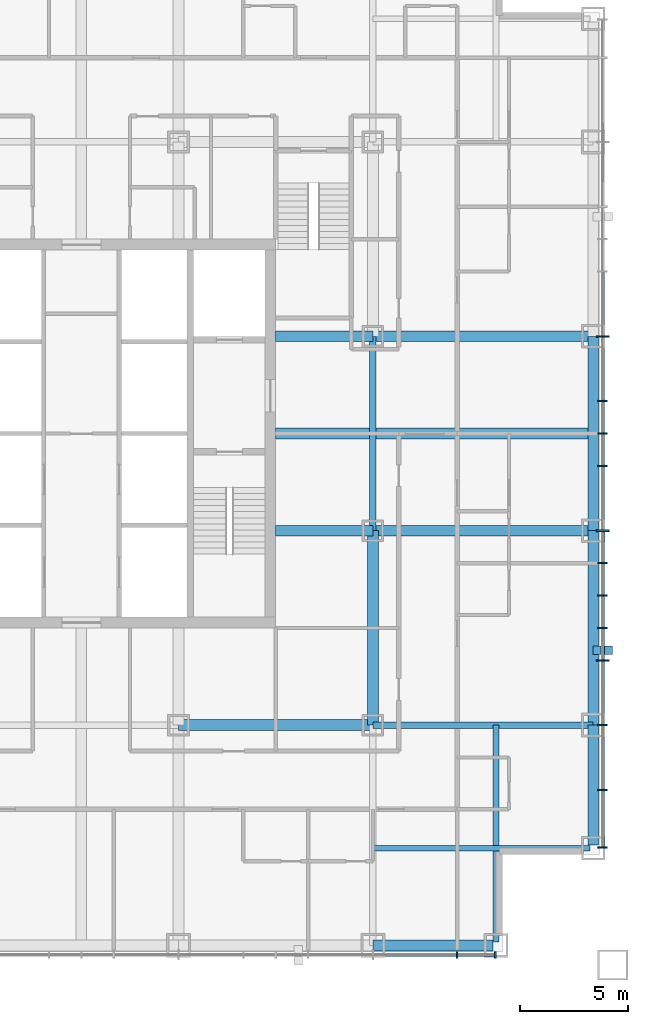
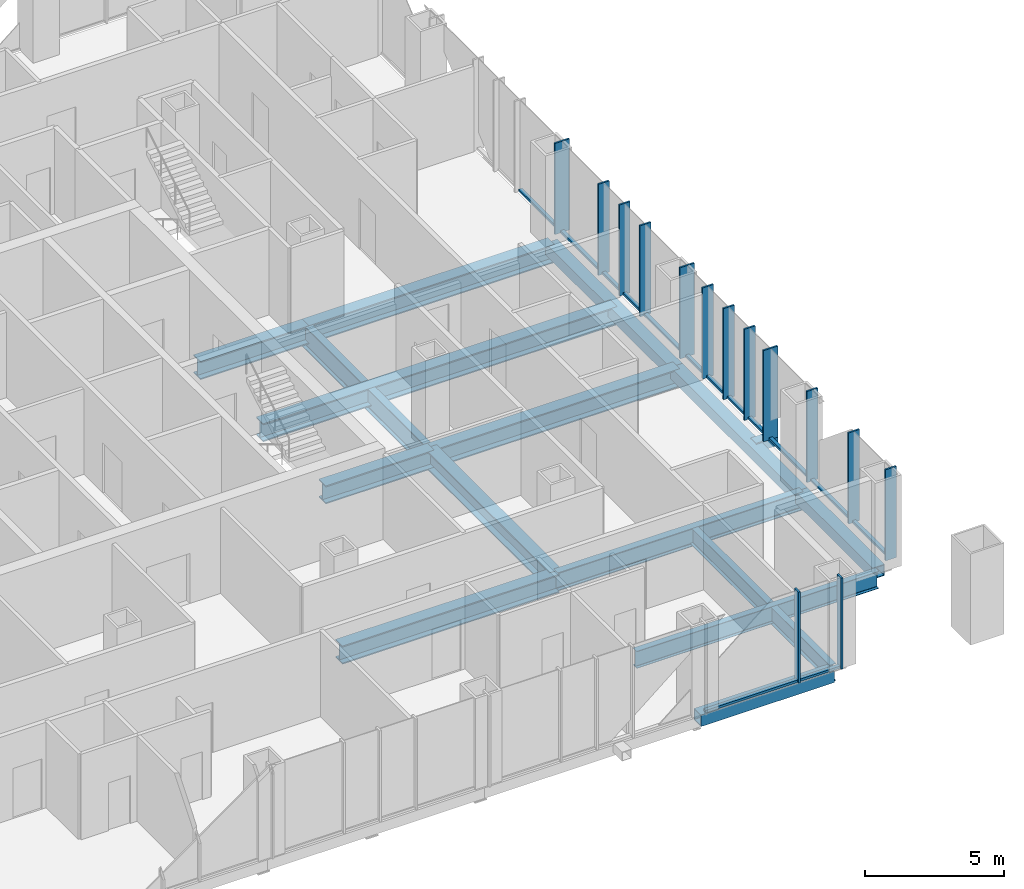
# One storey, part 4 of 14: 29 members, 15 beams, 2 elements without a shape of their own.
"""IFC4 building model written with IfcOpenShell, lengths in metres."""

from ifc_helpers import new_model, si_unit, direction, frame, origin, origin_2d, place, context, subcontext, project, spatial, rectangle, hollow_rectangle, i_section, extrude, material, layer, layer_set, material_profile, profile_set, type_object, element, aggregate, save


model = new_model("IFC4")

# Units and contexts
model_context = context("Model", 3, precision=1e-05, world=origin(), true_north=direction((0.0, 1.0)))
body_context = subcontext(model_context, "Body", "Model", "MODEL_VIEW")
ifc_project = project(units=[si_unit("LENGTHUNIT", "METRE"), si_unit("AREAUNIT", "SQUARE_METRE"), si_unit("VOLUMEUNIT", "CUBIC_METRE"), si_unit("PLANEANGLEUNIT", "RADIAN"), si_unit("MASSUNIT", "GRAM", prefix="KILO")], contexts=[model_context])

# Site, building, storey
site_placement = place(None, origin())
site = spatial("IfcSite", under=ifc_project, at=site_placement, CompositionType="ELEMENT")
building_placement = place(site_placement, origin())
building = spatial("IfcBuilding", under=site, at=building_placement, Name="Malebo Sky Hospital", CompositionType="ELEMENT")
storey_placement = place(building_placement, frame((0.0, 0.0, 128.0)))
storey = spatial("IfcBuildingStorey", under=building, at=storey_placement, Name="L30", CompositionType="ELEMENT", Elevation=128.0)

# Curtain wall, members
ifc_material_1 = material(Name="Anodised aluminium, natural silver", Category="aluminium")
ifc_layer_1 = layer(ifc_material_1, 0.25)
ifc_layer_set_1 = layer_set([ifc_layer_1], Name="WARD CURTAIN WALL NORTH AND SOUTH")
curtain_wall_type_1 = type_object("IfcCurtainWallType", Name="WARD CURTAIN WALL NORTH AND SOUTH", PredefinedType="NOTDEFINED", material=ifc_layer_set_1)
curtain_wall_1_placement = place(storey_placement, origin())
curtain_wall_1 = element("IfcCurtainWall", 1, at=curtain_wall_1_placement, inside=storey, type_object=curtain_wall_type_1, Name="NS curtain wall S", PredefinedType="NOTDEFINED")
ifc_material_profile_1 = material_profile(ifc_material_1, rectangle(XDim=0.14990234375, YDim=0.10009765625, at=origin_2d()), Name="ALUMINIUM TRANSOM 150x100")
ifc_profile_set_1 = profile_set([ifc_material_profile_1], Name="Anodised aluminium, natural silver")
member_type_1 = type_object("IfcMemberType", Name="ALUMINIUM TRANSOM 150x100", PredefinedType="USERDEFINED", material=ifc_profile_set_1)
member_1_placement = place(storey_placement, frame((79.125, 37.864990234375, 0.050048828125), z_axis=(-1.0, 0.0, 0.0), x_axis=(0.0, -1.0, 0.0)))
member_1 = element("IfcMember", 2, at=member_1_placement, type_object=member_type_1, Name="Transom 1", ObjectType="TRANSOM", PredefinedType="USERDEFINED", context=body_context, shape_type="SweptSolid", body=[
    extrude(rectangle(XDim=0.14990234375, YDim=0.10009765625, at=origin_2d()), origin(), (0.0, 0.0, 1.0), 1.6875),
])
member_2_placement = place(storey_placement, frame((77.362548828125, 37.864990234375, 0.050048828125), z_axis=(-1.0, 0.0, 0.0), x_axis=(0.0, -1.0, 0.0)))
member_2 = element("IfcMember", 3, at=member_2_placement, type_object=member_type_1, Name="Transom 2", ObjectType="TRANSOM", PredefinedType="USERDEFINED", context=body_context, shape_type="SweptSolid", body=[
    extrude(rectangle(XDim=0.14990234375, YDim=0.10009765625, at=origin_2d()), origin(), (0.0, 0.0, 1.0), 3.824951171875),
])

ifc_layer_2 = layer(ifc_material_1, 0.25)
ifc_layer_set_2 = layer_set([ifc_layer_2], Name="WARD CURTAIN WALL EAST AND WEST")
curtain_wall_type_2 = type_object("IfcCurtainWallType", Name="WARD CURTAIN WALL EAST AND WEST", PredefinedType="NOTDEFINED", material=ifc_layer_set_2)
curtain_wall_2_placement = place(storey_placement, origin())
curtain_wall_2 = element("IfcCurtainWall", 4, at=curtain_wall_2_placement, inside=storey, type_object=curtain_wall_type_2, Name="EW curtain wall E", PredefinedType="NOTDEFINED")
member_3_placement = place(storey_placement, frame((84.135009765625, 69.46240234375, 0.050048828125), z_axis=(0.0, -1.0, 0.0), x_axis=(1.0, 0.0, 0.0)))
member_3 = element("IfcMember", 5, at=member_3_placement, type_object=member_type_1, Name="Transom 6", ObjectType="TRANSOM", PredefinedType="USERDEFINED", context=body_context, shape_type="SweptSolid", body=[
    extrude(rectangle(XDim=0.14990234375, YDim=0.10009765625, at=origin_2d()), origin(), (0.0, 0.0, 1.0), 2.9248046875),
])
member_4_placement = place(storey_placement, frame((84.135009765625, 66.46240234375, 0.050048828125), z_axis=(0.0, -1.0, 0.0), x_axis=(1.0, 0.0, 0.0)))
member_4 = element("IfcMember", 6, at=member_4_placement, type_object=member_type_1, Name="Transom 7", ObjectType="TRANSOM", PredefinedType="USERDEFINED", context=body_context, shape_type="SweptSolid", body=[
    extrude(rectangle(XDim=0.14990234375, YDim=0.10009765625, at=origin_2d()), origin(), (0.0, 0.0, 1.0), 2.9248046875),
])
member_5_placement = place(storey_placement, frame((84.135009765625, 63.46240234375, 0.050048828125), z_axis=(0.0, -1.0, 0.0), x_axis=(1.0, 0.0, 0.0)))
member_5 = element("IfcMember", 7, at=member_5_placement, type_object=member_type_1, Name="Transom 8", ObjectType="TRANSOM", PredefinedType="USERDEFINED", context=body_context, shape_type="SweptSolid", body=[
    extrude(rectangle(XDim=0.14990234375, YDim=0.10009765625, at=origin_2d()), origin(), (0.0, 0.0, 1.0), 1.4248046875),
])
member_6_placement = place(storey_placement, frame((84.135009765625, 61.96240234375, 0.050048828125), z_axis=(0.0, -1.0, 0.0), x_axis=(1.0, 0.0, 0.0)))
member_6 = element("IfcMember", 8, at=member_6_placement, type_object=member_type_1, Name="Transom 9", ObjectType="TRANSOM", PredefinedType="USERDEFINED", context=body_context, shape_type="SweptSolid", body=[
    extrude(rectangle(XDim=0.14990234375, YDim=0.10009765625, at=origin_2d()), origin(), (0.0, 0.0, 1.0), 1.4248046875),
])
member_7_placement = place(storey_placement, frame((84.135009765625, 60.46240234375, 0.050048828125), z_axis=(0.0, -1.0, 0.0), x_axis=(1.0, 0.0, 0.0)))
member_7 = element("IfcMember", 9, at=member_7_placement, type_object=member_type_1, Name="Transom 10", ObjectType="TRANSOM", PredefinedType="USERDEFINED", context=body_context, shape_type="SweptSolid", body=[
    extrude(rectangle(XDim=0.14990234375, YDim=0.10009765625, at=origin_2d()), origin(), (0.0, 0.0, 1.0), 2.9248046875),
])
member_8_placement = place(storey_placement, frame((84.135009765625, 57.46240234375, 0.050048828125), z_axis=(0.0, -1.0, 0.0), x_axis=(1.0, 0.0, 0.0)))
member_8 = element("IfcMember", 10, at=member_8_placement, type_object=member_type_1, Name="Transom 11", ObjectType="TRANSOM", PredefinedType="USERDEFINED", context=body_context, shape_type="SweptSolid", body=[
    extrude(rectangle(XDim=0.14990234375, YDim=0.10009765625, at=origin_2d()), origin(), (0.0, 0.0, 1.0), 1.4248046875),
])
member_9_placement = place(storey_placement, frame((84.135009765625, 55.96240234375, 0.050048828125), z_axis=(0.0, -1.0, 0.0), x_axis=(1.0, 0.0, 0.0)))
member_9 = element("IfcMember", 11, at=member_9_placement, type_object=member_type_1, Name="Transom 12", ObjectType="TRANSOM", PredefinedType="USERDEFINED", context=body_context, shape_type="SweptSolid", body=[
    extrude(rectangle(XDim=0.14990234375, YDim=0.10009765625, at=origin_2d()), origin(), (0.0, 0.0, 1.0), 1.4248046875),
])
member_10_placement = place(storey_placement, frame((84.135009765625, 54.46240234375, 0.050048828125), z_axis=(0.0, -1.0, 0.0), x_axis=(1.0, 0.0, 0.0)))
member_10 = element("IfcMember", 12, at=member_10_placement, type_object=member_type_1, Name="Transom 13", ObjectType="TRANSOM", PredefinedType="USERDEFINED", context=body_context, shape_type="SweptSolid", body=[
    extrude(rectangle(XDim=0.14990234375, YDim=0.10009765625, at=origin_2d()), origin(), (0.0, 0.0, 1.0), 1.4248046875),
])
member_11_placement = place(storey_placement, frame((84.135009765625, 52.96240234375, 0.050048828125), z_axis=(0.0, -1.0, 0.0), x_axis=(1.0, 0.0, 0.0)))
member_11 = element("IfcMember", 13, at=member_11_placement, type_object=member_type_1, Name="Transom 14", ObjectType="TRANSOM", PredefinedType="USERDEFINED", context=body_context, shape_type="SweptSolid", body=[
    extrude(rectangle(XDim=0.14990234375, YDim=0.10009765625, at=origin_2d()), origin(), (0.0, 0.0, 1.0), 1.4248046875),
])
member_12_placement = place(storey_placement, frame((84.135009765625, 51.46240234375, 0.050048828125), z_axis=(0.0, -1.0, 0.0), x_axis=(1.0, 0.0, 0.0)))
member_12 = element("IfcMember", 14, at=member_12_placement, type_object=member_type_1, Name="Transom 15", ObjectType="TRANSOM", PredefinedType="USERDEFINED", context=body_context, shape_type="SweptSolid", body=[
    extrude(rectangle(XDim=0.14990234375, YDim=0.10009765625, at=origin_2d()), origin(), (0.0, 0.0, 1.0), 2.9248046875),
])
member_13_placement = place(storey_placement, frame((84.135009765625, 48.46240234375, 0.050048828125), z_axis=(0.0, -1.0, 0.0), x_axis=(1.0, 0.0, 0.0)))
member_13 = element("IfcMember", 15, at=member_13_placement, type_object=member_type_1, Name="Transom 16", ObjectType="TRANSOM", PredefinedType="USERDEFINED", context=body_context, shape_type="SweptSolid", body=[
    extrude(rectangle(XDim=0.14990234375, YDim=0.10009765625, at=origin_2d()), origin(), (0.0, 0.0, 1.0), 2.9248046875),
])
member_14_placement = place(storey_placement, frame((84.135009765625, 45.46240234375, 0.050048828125), z_axis=(0.0, -1.0, 0.0), x_axis=(1.0, 0.0, 0.0)))
member_14 = element("IfcMember", 16, at=member_14_placement, type_object=member_type_1, Name="Transom 17", ObjectType="TRANSOM", PredefinedType="USERDEFINED", context=body_context, shape_type="SweptSolid", body=[
    extrude(rectangle(XDim=0.14990234375, YDim=0.10009765625, at=origin_2d()), origin(), (0.0, 0.0, 1.0), 2.58740234375),
])

# Member
ifc_material_2 = material(Name="Steel S355", Category="steel")
ifc_material_profile_2 = material_profile(ifc_material_2, hollow_rectangle(XDim=0.39990234375, YDim=0.39990234375, WallThickness=0.02001953125, at=origin_2d()), Name="SHS 400x20")
ifc_profile_set_2 = profile_set([ifc_material_profile_2], Name="Steel S355")
member_type_2 = type_object("IfcMemberType", Name="BRACE STRUT SHS 400x20", PredefinedType="STRUT", material=ifc_profile_set_2)
member_15_placement = place(storey_placement, frame((84.60009765625, 51.959716796875, -0.39990234375), z_axis=(-1.0, 0.0, 0.0), x_axis=(0.0, -1.0, 0.0)))
element("IfcMember", 17, at=member_15_placement, inside=storey, type_object=member_type_2, Name="Brace strut BE2 L30", PredefinedType="STRUT", context=body_context, shape_type="SweptSolid", body=[
    extrude(hollow_rectangle(XDim=0.39990234375, YDim=0.39990234375, WallThickness=0.02001953125, at=origin_2d()), origin(), (0.0, 0.0, 1.0), 0.900146484375),
])

ifc_material_profile_3 = material_profile(ifc_material_1, rectangle(XDim=0.074951171875, YDim=0.300048828125, at=origin_2d()), Name="CW1 ALUMINIUM FIN MULLION 75x300")
ifc_profile_set_3 = profile_set([ifc_material_profile_3], Name="Anodised aluminium, natural silver")
member_type_3 = type_object("IfcMemberType", Name="CW1 ALUMINIUM FIN MULLION 75x300", PredefinedType="MULLION", material=ifc_profile_set_3)
member_16_placement = place(storey_placement, frame((79.16259765625, 37.864990234375, 0.0), z_axis=(0.0, 0.0, 1.0), x_axis=(-1.0, 0.0, 0.0)))
member_16 = element("IfcMember", 18, at=member_16_placement, type_object=member_type_3, Name="Fin mullion 1", PredefinedType="MULLION", context=body_context, shape_type="SweptSolid", body=[
    extrude(rectangle(XDim=0.074951171875, YDim=0.300048828125, at=origin_2d()), origin(), (0.0, 0.0, 1.0), 4.0),
])

member_17_placement = place(storey_placement, frame((77.39990234375, 37.864990234375, 0.0), z_axis=(0.0, 0.0, 1.0), x_axis=(-1.0, 0.0, 0.0)))
member_17 = element("IfcMember", 19, at=member_17_placement, type_object=member_type_3, Name="Fin mullion 2", PredefinedType="MULLION", context=body_context, shape_type="SweptSolid", body=[
    extrude(rectangle(XDim=0.074951171875, YDim=0.300048828125, at=origin_2d()), origin(), (0.0, 0.0, 1.0), 4.0),
])

aggregate(curtain_wall_1, [member_16, member_17, member_1, member_2])

ifc_material_profile_4 = material_profile(ifc_material_1, rectangle(XDim=0.074951171875, YDim=0.449951171875, at=origin_2d()), Name="CW2 ALUMINIUM FIN MULLION 75x450")
ifc_profile_set_4 = profile_set([ifc_material_profile_4], Name="Anodised aluminium, natural silver")
member_type_4 = type_object("IfcMemberType", Name="CW2 ALUMINIUM FIN MULLION 75x450", PredefinedType="MULLION", material=ifc_profile_set_4)
member_18_placement = place(storey_placement, frame((84.135009765625, 63.5, 0.0), z_axis=(0.0, 0.0, 1.0), x_axis=(0.0, -1.0, 0.0)))
member_18 = element("IfcMember", 20, at=member_18_placement, type_object=member_type_4, Name="Fin mullion 8", PredefinedType="MULLION", context=body_context, shape_type="SweptSolid", body=[
    extrude(rectangle(XDim=0.074951171875, YDim=0.449951171875, at=origin_2d()), origin(), (0.0, 0.0, 1.0), 4.0),
])

member_19_placement = place(storey_placement, frame((84.135009765625, 62.0, 0.0), z_axis=(0.0, 0.0, 1.0), x_axis=(0.0, -1.0, 0.0)))
member_19 = element("IfcMember", 21, at=member_19_placement, type_object=member_type_4, Name="Fin mullion 9", PredefinedType="MULLION", context=body_context, shape_type="SweptSolid", body=[
    extrude(rectangle(XDim=0.074951171875, YDim=0.449951171875, at=origin_2d()), origin(), (0.0, 0.0, 1.0), 4.0),
])

member_20_placement = place(storey_placement, frame((84.135009765625, 60.5, 0.0), z_axis=(0.0, 0.0, 1.0), x_axis=(0.0, -1.0, 0.0)))
member_20 = element("IfcMember", 22, at=member_20_placement, type_object=member_type_4, Name="Fin mullion 10", PredefinedType="MULLION", context=body_context, shape_type="SweptSolid", body=[
    extrude(rectangle(XDim=0.074951171875, YDim=0.449951171875, at=origin_2d()), origin(), (0.0, 0.0, 1.0), 4.0),
])

member_21_placement = place(storey_placement, frame((84.135009765625, 56.0, 0.0), z_axis=(0.0, 0.0, 1.0), x_axis=(0.0, -1.0, 0.0)))
member_21 = element("IfcMember", 23, at=member_21_placement, type_object=member_type_4, Name="Fin mullion 12", PredefinedType="MULLION", context=body_context, shape_type="SweptSolid", body=[
    extrude(rectangle(XDim=0.074951171875, YDim=0.449951171875, at=origin_2d()), origin(), (0.0, 0.0, 1.0), 4.0),
])

member_22_placement = place(storey_placement, frame((84.135009765625, 54.5, 0.0), z_axis=(0.0, 0.0, 1.0), x_axis=(0.0, -1.0, 0.0)))
member_22 = element("IfcMember", 24, at=member_22_placement, type_object=member_type_4, Name="Fin mullion 13", PredefinedType="MULLION", context=body_context, shape_type="SweptSolid", body=[
    extrude(rectangle(XDim=0.074951171875, YDim=0.449951171875, at=origin_2d()), origin(), (0.0, 0.0, 1.0), 4.0),
])

member_23_placement = place(storey_placement, frame((84.135009765625, 53.0, 0.0), z_axis=(0.0, 0.0, 1.0), x_axis=(0.0, -1.0, 0.0)))
member_23 = element("IfcMember", 25, at=member_23_placement, type_object=member_type_4, Name="Fin mullion 14", PredefinedType="MULLION", context=body_context, shape_type="SweptSolid", body=[
    extrude(rectangle(XDim=0.074951171875, YDim=0.449951171875, at=origin_2d()), origin(), (0.0, 0.0, 1.0), 4.0),
])

member_24_placement = place(storey_placement, frame((84.135009765625, 48.5, 0.0), z_axis=(0.0, 0.0, 1.0), x_axis=(0.0, -1.0, 0.0)))
member_24 = element("IfcMember", 26, at=member_24_placement, type_object=member_type_4, Name="Fin mullion 16", PredefinedType="MULLION", context=body_context, shape_type="SweptSolid", body=[
    extrude(rectangle(XDim=0.074951171875, YDim=0.449951171875, at=origin_2d()), origin(), (0.0, 0.0, 1.0), 4.0),
])

member_25_placement = place(storey_placement, frame((84.135009765625, 45.5, 0.0), z_axis=(0.0, 0.0, 1.0), x_axis=(0.0, -1.0, 0.0)))
member_25 = element("IfcMember", 27, at=member_25_placement, type_object=member_type_4, Name="Fin mullion 17", PredefinedType="MULLION", context=body_context, shape_type="SweptSolid", body=[
    extrude(rectangle(XDim=0.074951171875, YDim=0.449951171875, at=origin_2d()), origin(), (0.0, 0.0, 1.0), 4.0),
])

member_26_placement = place(storey_placement, frame((84.135009765625, 42.83740234375, 0.0), z_axis=(0.0, 0.0, 1.0), x_axis=(0.0, -1.0, 0.0)))
member_26 = element("IfcMember", 28, at=member_26_placement, type_object=member_type_4, Name="Fin mullion 18", PredefinedType="MULLION", context=body_context, shape_type="SweptSolid", body=[
    extrude(rectangle(XDim=0.074951171875, YDim=0.449951171875, at=origin_2d()), origin(), (0.0, 0.0, 1.0), 4.0),
])

ifc_material_profile_5 = material_profile(ifc_material_1, rectangle(XDim=0.074951171875, YDim=0.60009765625, at=origin_2d()), Name="CW2 ALUMINIUM FIN MULLION 75x600")
ifc_profile_set_5 = profile_set([ifc_material_profile_5], Name="Anodised aluminium, natural silver")
member_type_5 = type_object("IfcMemberType", Name="CW2 ALUMINIUM FIN MULLION 75x600", PredefinedType="MULLION", material=ifc_profile_set_5)
member_27_placement = place(storey_placement, frame((84.135009765625, 66.5, 0.0), z_axis=(0.0, 0.0, 1.0), x_axis=(0.0, -1.0, 0.0)))
member_27 = element("IfcMember", 29, at=member_27_placement, type_object=member_type_5, Name="Fin mullion 7", PredefinedType="MULLION", context=body_context, shape_type="SweptSolid", body=[
    extrude(rectangle(XDim=0.074951171875, YDim=0.60009765625, at=origin_2d()), origin(), (0.0, 0.0, 1.0), 4.0),
])

member_28_placement = place(storey_placement, frame((84.135009765625, 57.5, 0.0), z_axis=(0.0, 0.0, 1.0), x_axis=(0.0, -1.0, 0.0)))
member_28 = element("IfcMember", 30, at=member_28_placement, type_object=member_type_5, Name="Fin mullion 11", PredefinedType="MULLION", context=body_context, shape_type="SweptSolid", body=[
    extrude(rectangle(XDim=0.074951171875, YDim=0.60009765625, at=origin_2d()), origin(), (0.0, 0.0, 1.0), 4.0),
])

member_29_placement = place(storey_placement, frame((84.135009765625, 51.5, 0.0), z_axis=(0.0, 0.0, 1.0), x_axis=(0.0, -1.0, 0.0)))
member_29 = element("IfcMember", 31, at=member_29_placement, type_object=member_type_5, Name="Fin mullion 15", PredefinedType="MULLION", context=body_context, shape_type="SweptSolid", body=[
    extrude(rectangle(XDim=0.074951171875, YDim=0.60009765625, at=origin_2d()), origin(), (0.0, 0.0, 1.0), 4.0),
])

aggregate(curtain_wall_2, [member_27, member_18, member_19, member_20, member_28, member_21, member_22, member_23, member_29, member_24, member_25, member_26, member_3, member_4, member_5, member_6, member_7, member_8, member_9, member_10, member_11, member_12, member_13, member_14])

# Beams
ifc_material_3 = material(Name="Steel S460", Category="steel")
ifc_material_profile_6 = material_profile(ifc_material_3, hollow_rectangle(XDim=0.5, YDim=0.5, WallThickness=0.030029296875, at=origin_2d()), Name="BOX 500x500x30")
ifc_profile_set_6 = profile_set([ifc_material_profile_6], Name="Steel S460")
beam_type_1 = type_object("IfcBeamType", Name="EDGE BEAM BOX 500x500x30", PredefinedType="BEAM", material=ifc_profile_set_6)
beam_1_placement = place(storey_placement, frame((83.699951171875, 42.949951171875, -0.5), z_axis=(0.0, 1.0, 0.0), x_axis=(-1.0, 0.0, 0.0)))
element("IfcBeam", 32, at=beam_1_placement, inside=storey, type_object=beam_type_1, Name="Beam 029 L30", PredefinedType="BEAM", context=body_context, shape_type="SweptSolid", body=[
    extrude(hollow_rectangle(XDim=0.5, YDim=0.5, WallThickness=0.030029296875, at=origin_2d()), origin(), (0.0, 0.0, 1.0), 5.550048828125),
])
for number, where, z_axis, x_axis, name in (
    (33, (83.699951171875, 48.5, -0.5), (0.0, 1.0, 0.0), (-1.0, 0.0, 0.0), "Beam 030 L30"),
    (34, (83.699951171875, 57.5, -0.5), (0.0, 1.0, 0.0), (-1.0, 0.0, 0.0), "Beam 031 L30"),
):
    element("IfcBeam", number, at=place(storey_placement, frame(where, z_axis=z_axis, x_axis=x_axis)), inside=storey, type_object=beam_type_1, Name=name, PredefinedType="BEAM", context=body_context, shape_type="SweptSolid", body=[
        extrude(hollow_rectangle(XDim=0.5, YDim=0.5, WallThickness=0.030029296875, at=origin_2d()), origin(), (0.0, 0.0, 1.0), 9.0),
    ])
beam_2_placement = place(storey_placement, frame((73.5, 38.300048828125, -0.5), z_axis=(1.0, 0.0, 0.0), x_axis=(0.0, 1.0, 0.0)))
element("IfcBeam", 35, at=beam_2_placement, inside=storey, type_object=beam_type_1, Name="Beam 038 L30", PredefinedType="BEAM", context=body_context, shape_type="SweptSolid", body=[
    extrude(hollow_rectangle(XDim=0.5, YDim=0.5, WallThickness=0.030029296875, at=origin_2d()), origin(), (0.0, 0.0, 1.0), 5.550048828125),
])
ifc_material_profile_7 = material_profile(ifc_material_2, i_section(OverallWidth=0.262939453125, OverallDepth=0.7529296875, WebThickness=0.011474609375, FlangeThickness=0.01708984375, FilletRadius=0.01708984375, at=origin_2d()), Name="IPE 750x137")
ifc_profile_set_7 = profile_set([ifc_material_profile_7], Name="Steel S355")
beam_type_2 = type_object("IfcBeamType", Name="FLOOR BEAM IPE 750x137", PredefinedType="BEAM", material=ifc_profile_set_7)
for number, where, z_axis, x_axis, name in (
    (36, (79.199951171875, 38.449951171875, -0.62646484375), (0.0, 1.0, 0.0), (-1.0, 0.0, 0.0), "Beam 027 L30"),
    (37, (73.5, 42.800048828125, -0.62646484375), (1.0, 0.0, 0.0), (0.0, 1.0, 0.0), "Beam 040 L30"),
):
    element("IfcBeam", number, at=place(storey_placement, frame(where, z_axis=z_axis, x_axis=x_axis)), inside=storey, type_object=beam_type_2, Name=name, PredefinedType="BEAM", context=body_context, shape_type="SweptSolid", body=[
        extrude(i_section(OverallWidth=0.262939453125, OverallDepth=0.7529296875, WebThickness=0.011474609375, FlangeThickness=0.01708984375, FilletRadius=0.01708984375, at=origin_2d()), origin(), (0.0, 0.0, 1.0), 10.050048828125),
    ])
ifc_material_profile_8 = material_profile(ifc_material_2, i_section(OverallWidth=0.5, OverallDepth=0.800048828125, WebThickness=0.030029296875, FlangeThickness=0.050048828125, at=origin_2d()), Name="PG 800x500x30x50")
ifc_profile_set_8 = profile_set([ifc_material_profile_8], Name="Steel S355")
beam_type_3 = type_object("IfcBeamType", Name="FLOOR BEAM PG 800x500x30x50", PredefinedType="BEAM", material=ifc_profile_set_8)
for number, where, z_axis, x_axis, name in (
    (38, (73.5, 48.5, -0.64990234375), (0.0, 1.0, 0.0), (-1.0, 0.0, 0.0), "Beam 023 L30"),
    (39, (64.5, 48.5, -0.64990234375), (1.0, 0.0, 0.0), (0.0, 1.0, 0.0), "Beam 044 L30"),
):
    element("IfcBeam", number, at=place(storey_placement, frame(where, z_axis=z_axis, x_axis=x_axis)), inside=storey, type_object=beam_type_3, Name=name, PredefinedType="BEAM", context=body_context, shape_type="SweptSolid", body=[
        extrude(i_section(OverallWidth=0.5, OverallDepth=0.800048828125, WebThickness=0.030029296875, FlangeThickness=0.050048828125, at=origin_2d()), origin(), (0.0, 0.0, 1.0), 9.0),
    ])
beam_3_placement = place(storey_placement, frame((69.0, 57.5, -0.64990234375), z_axis=(1.0, 0.0, 0.0), x_axis=(0.0, 1.0, 0.0)))
element("IfcBeam", 40, at=beam_3_placement, inside=storey, type_object=beam_type_3, Name="Beam 048 L30", PredefinedType="BEAM", context=body_context, shape_type="SweptSolid", body=[
    extrude(i_section(OverallWidth=0.5, OverallDepth=0.800048828125, WebThickness=0.030029296875, FlangeThickness=0.050048828125, at=origin_2d()), origin(), (0.0, 0.0, 1.0), 4.5),
])
beam_4_placement = place(storey_placement, frame((73.5, 57.5, -0.64990234375), z_axis=(1.0, 0.0, 0.0), x_axis=(0.0, 1.0, 0.0)))
element("IfcBeam", 41, at=beam_4_placement, inside=storey, type_object=beam_type_3, Name="Beam 049 L30", PredefinedType="BEAM", context=body_context, shape_type="SweptSolid", body=[
    extrude(i_section(OverallWidth=0.5, OverallDepth=0.800048828125, WebThickness=0.030029296875, FlangeThickness=0.050048828125, at=origin_2d()), origin(), (0.0, 0.0, 1.0), 10.199951171875),
])
beam_5_placement = place(storey_placement, frame((69.0, 62.0, -0.64990234375), z_axis=(1.0, 0.0, 0.0), x_axis=(0.0, 1.0, 0.0)))
element("IfcBeam", 42, at=beam_5_placement, inside=storey, type_object=beam_type_3, Name="Beam 051 L30", PredefinedType="BEAM", context=body_context, shape_type="SweptSolid", body=[
    extrude(i_section(OverallWidth=0.5, OverallDepth=0.800048828125, WebThickness=0.030029296875, FlangeThickness=0.050048828125, at=origin_2d()), origin(), (0.0, 0.0, 1.0), 14.699951171875),
])
beam_6_placement = place(storey_placement, frame((69.0, 66.5, -0.64990234375), z_axis=(1.0, 0.0, 0.0), x_axis=(0.0, 1.0, 0.0)))
element("IfcBeam", 43, at=beam_6_placement, inside=storey, type_object=beam_type_3, Name="Beam 054 L30", PredefinedType="BEAM", context=body_context, shape_type="SweptSolid", body=[
    extrude(i_section(OverallWidth=0.5, OverallDepth=0.800048828125, WebThickness=0.030029296875, FlangeThickness=0.050048828125, at=origin_2d()), origin(), (0.0, 0.0, 1.0), 4.5),
])
beam_7_placement = place(storey_placement, frame((73.5, 66.5, -0.64990234375), z_axis=(1.0, 0.0, 0.0), x_axis=(0.0, 1.0, 0.0)))
element("IfcBeam", 44, at=beam_7_placement, inside=storey, type_object=beam_type_3, Name="Beam 055 L30", PredefinedType="BEAM", context=body_context, shape_type="SweptSolid", body=[
    extrude(i_section(OverallWidth=0.5, OverallDepth=0.800048828125, WebThickness=0.030029296875, FlangeThickness=0.050048828125, at=origin_2d()), origin(), (0.0, 0.0, 1.0), 10.199951171875),
])
ifc_material_profile_9 = material_profile(ifc_material_2, i_section(OverallWidth=0.300048828125, OverallDepth=0.800048828125, WebThickness=0.017578125, FlangeThickness=0.032958984375, FilletRadius=0.030029296875, at=origin_2d()), Name="HEB 800")
ifc_profile_set_9 = profile_set([ifc_material_profile_9], Name="Steel S355")
beam_type_4 = type_object("IfcBeamType", Name="FLOOR GIRDER HEB 800", PredefinedType="BEAM", material=ifc_profile_set_9)
beam_8_placement = place(storey_placement, frame((73.5, 48.5, -0.64990234375), z_axis=(1.0, 0.0, 0.0), x_axis=(0.0, 1.0, 0.0)))
element("IfcBeam", 45, at=beam_8_placement, inside=storey, type_object=beam_type_4, Name="Beam 045 L30", PredefinedType="BEAM", context=body_context, shape_type="SweptSolid", body=[
    extrude(i_section(OverallWidth=0.300048828125, OverallDepth=0.800048828125, WebThickness=0.017578125, FlangeThickness=0.032958984375, FilletRadius=0.030029296875, at=origin_2d()), origin(), (0.0, 0.0, 1.0), 10.199951171875),
])
ifc_material_profile_10 = material_profile(ifc_material_2, i_section(OverallWidth=0.300048828125, OverallDepth=1.0, WebThickness=0.01904296875, FlangeThickness=0.035888671875, FilletRadius=0.030029296875, at=origin_2d()), Name="HEB 1000")
ifc_profile_set_10 = profile_set([ifc_material_profile_10], Name="Steel S355")
beam_type_5 = type_object("IfcBeamType", Name="RING GIRDER HEB 1000", PredefinedType="BEAM", material=ifc_profile_set_10)
beam_9_placement = place(storey_placement, frame((73.5, 57.5, -0.75), z_axis=(0.0, 1.0, 0.0), x_axis=(-1.0, 0.0, 0.0)))
element("IfcBeam", 46, at=beam_9_placement, inside=storey, type_object=beam_type_5, Name="Beam 024 L30", PredefinedType="BEAM", context=body_context, shape_type="SweptSolid", body=[
    extrude(i_section(OverallWidth=0.300048828125, OverallDepth=1.0, WebThickness=0.01904296875, FlangeThickness=0.035888671875, FilletRadius=0.030029296875, at=origin_2d()), origin(), (0.0, 0.0, 1.0), 9.0),
])

save(model, "model.ifc")
